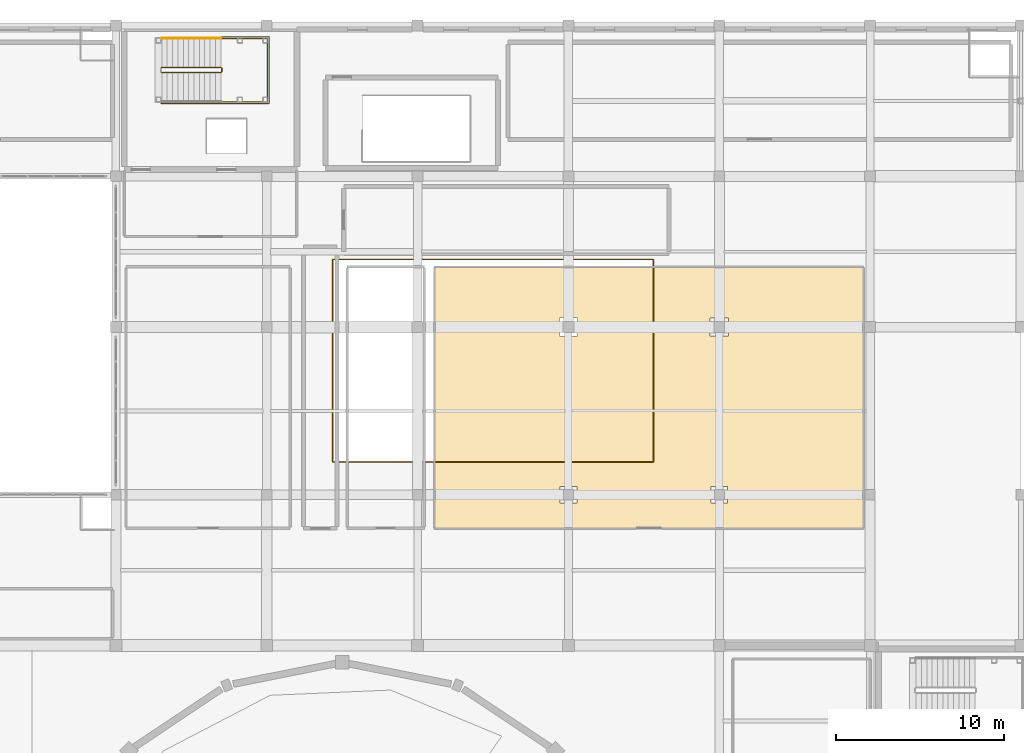
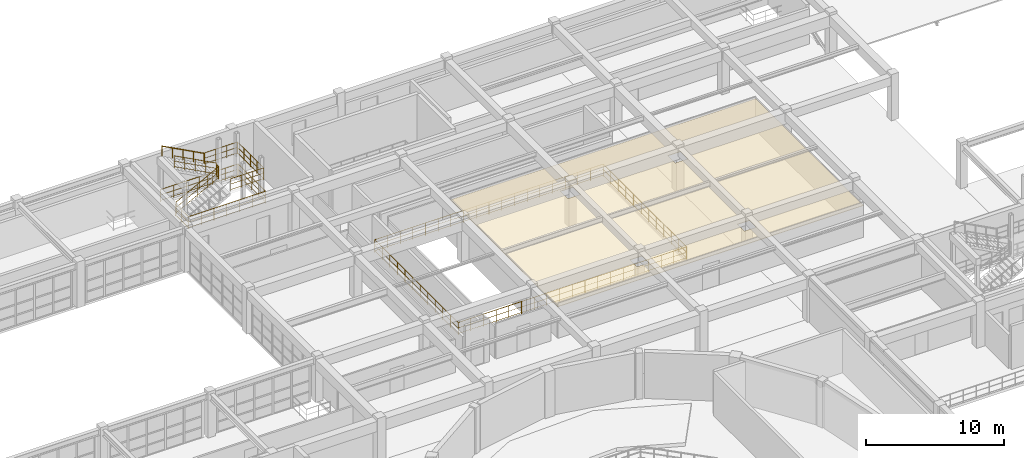
# One storey, part 108 of 110: 7 railings, 1 covering.
"""IFC4 building model written with IfcOpenShell, lengths in metres."""

from ifc_helpers import new_model, si_unit, direction, frame, origin, origin_2d, place, context, subcontext, project, spatial, polyline, circle, outline, extrude, material, layer, layer_set, type_object, element, save


model = new_model("IFC4")

# Units and contexts
model_context = context("Model", 3, precision=1e-05, world=origin(), true_north=direction((0.0, 1.0)))
body_context = subcontext(model_context, "Body", "Model", "MODEL_VIEW")
ifc_project = project(units=[si_unit("LENGTHUNIT", "METRE"), si_unit("AREAUNIT", "SQUARE_METRE"), si_unit("VOLUMEUNIT", "CUBIC_METRE"), si_unit("PLANEANGLEUNIT", "RADIAN"), si_unit("MASSUNIT", "GRAM", prefix="KILO")], contexts=[model_context])

# Site, building, storey
site_placement = place(None, origin())
site = spatial("IfcSite", under=ifc_project, at=site_placement, CompositionType="ELEMENT")
building_placement = place(site_placement, origin())
building = spatial("IfcBuilding", under=site, at=building_placement, Name="Miravela Opera House", CompositionType="ELEMENT")
storey_placement = place(building_placement, frame((0.0, 0.0, 13.60009765625)))
storey = spatial("IfcBuildingStorey", under=building, at=storey_placement, Name="L03", CompositionType="ELEMENT", Elevation=13.60009765625)

# Covering
ifc_material_1 = material(Name="Spanish Colonial coffered lime-plaster ceiling")
ifc_layer = layer(ifc_material_1, 0.0419921875)
ifc_layer_set = layer_set([ifc_layer])
covering_type = type_object("IfcCoveringType", Name="ARC-CEIL-COFFER-42", PredefinedType="CEILING", material=ifc_layer_set)
covering_placement = place(storey_placement, frame((0.0, 0.0, 2.739990234375)))
element("IfcCovering", 1, at=covering_placement, inside=storey, type_object=covering_type, Name="Music Repertoire Library and Reading Hall Acoustic Ceiling", PredefinedType="CEILING", context=body_context, shape_type="SweptSolid", body=[
    extrude(outline(polyline([(82.0, 82.0), (107.60009765625, 82.0), (107.60009765625, 97.60009765625), (82.0, 97.60009765625), (82.0, 82.0)]), holes=[polyline([(89.49560546875, 83.49560546875), (90.50439453125, 83.49560546875), (90.50439453125, 84.50439453125), (89.49560546875, 84.50439453125), (89.49560546875, 83.49560546875)]), polyline([(89.46044921875, 93.46044921875), (90.53955078125, 93.46044921875), (90.53955078125, 94.53955078125), (89.46044921875, 94.53955078125), (89.46044921875, 93.46044921875)]), polyline([(98.49560546875, 83.49560546875), (99.50439453125, 83.49560546875), (99.50439453125, 84.50439453125), (98.49560546875, 84.50439453125), (98.49560546875, 83.49560546875)]), polyline([(98.46044921875, 93.46044921875), (99.53955078125, 93.46044921875), (99.53955078125, 94.53955078125), (98.46044921875, 94.53955078125), (98.46044921875, 93.46044921875)])]), origin(), (0.0, 0.0, 1.0), 0.0419921875),
])

# Railings
ifc_material_2 = material(Name="Gilded bronze auditorium tier balustrade")
railing_type_1 = type_object("IfcRailingType", Name="ARC-RAIL-BOWL-BAL", PredefinedType="BALUSTRADE", material=ifc_material_2)
railing_1_placement = place(storey_placement, frame((75.932373046875, 85.957275390625, 0.0)))
element("IfcRailing", 2, at=railing_1_placement, inside=storey, type_object=railing_type_1, Name="L03 Void Perimeter Balustrade 0166", PredefinedType="BALUSTRADE", context=body_context, shape_type="SweptSolid", body=[
    extrude(circle(Radius=0.02490234375, at=origin_2d()), frame((0.0, 0.0, 1.09521484375), z_axis=(1.0, 0.0, 0.0), x_axis=(0.0, 1.0, 0.0)), (0.0, 0.0, 1.0), 19.13525390625),
    extrude(circle(Radius=0.01611328125, at=origin_2d()), frame((0.0, 0.0, 0.615966796875), z_axis=(1.0, 0.0, 0.0), x_axis=(0.0, 1.0, 0.0)), (0.0, 0.0, 1.0), 19.13525390625),
    extrude(circle(Radius=0.01611328125, at=origin_2d()), frame((0.0, 0.0, 0.1201171875), z_axis=(1.0, 0.0, 0.0), x_axis=(0.0, 1.0, 0.0)), (0.0, 0.0, 1.0), 19.13525390625),
    extrude(circle(Radius=0.02490234375, at=origin_2d()), frame((19.13525390625, 0.0, 1.09521484375), z_axis=(0.0, 1.0, 0.0), x_axis=(-1.0, 0.0, 0.0)), (0.0, 0.0, 1.0), 12.08544921875),
    extrude(circle(Radius=0.01611328125, at=origin_2d()), frame((19.13525390625, 0.0, 0.615966796875), z_axis=(0.0, 1.0, 0.0), x_axis=(-1.0, 0.0, 0.0)), (0.0, 0.0, 1.0), 12.08544921875),
    extrude(circle(Radius=0.01611328125, at=origin_2d()), frame((19.13525390625, 0.0, 0.1201171875), z_axis=(0.0, 1.0, 0.0), x_axis=(-1.0, 0.0, 0.0)), (0.0, 0.0, 1.0), 12.08544921875),
    extrude(circle(Radius=0.02490234375, at=origin_2d()), frame((19.13525390625, 12.08544921875, 1.09521484375), z_axis=(-1.0, 0.0, 0.0), x_axis=(0.0, -1.0, 0.0)), (0.0, 0.0, 1.0), 19.13525390625),
    extrude(circle(Radius=0.01611328125, at=origin_2d()), frame((19.13525390625, 12.08544921875, 0.615966796875), z_axis=(-1.0, 0.0, 0.0), x_axis=(0.0, -1.0, 0.0)), (0.0, 0.0, 1.0), 19.13525390625),
    extrude(circle(Radius=0.01611328125, at=origin_2d()), frame((19.13525390625, 12.08544921875, 0.1201171875), z_axis=(-1.0, 0.0, 0.0), x_axis=(0.0, -1.0, 0.0)), (0.0, 0.0, 1.0), 19.13525390625),
    extrude(circle(Radius=0.02490234375, at=origin_2d()), frame((0.0, 12.08544921875, 1.09521484375), z_axis=(0.0, -1.0, 0.0), x_axis=(1.0, 0.0, 0.0)), (0.0, 0.0, 1.0), 12.08544921875),
    extrude(circle(Radius=0.01611328125, at=origin_2d()), frame((0.0, 12.08544921875, 0.615966796875), z_axis=(0.0, -1.0, 0.0), x_axis=(1.0, 0.0, 0.0)), (0.0, 0.0, 1.0), 12.08544921875),
    extrude(circle(Radius=0.01611328125, at=origin_2d()), frame((0.0, 12.08544921875, 0.1201171875), z_axis=(0.0, -1.0, 0.0), x_axis=(1.0, 0.0, 0.0)), (0.0, 0.0, 1.0), 12.08544921875),
    extrude(circle(Radius=0.02099609375, at=origin_2d()), origin(), (0.0, 0.0, 1.0), 1.070068359375),
    extrude(circle(Radius=0.02099609375, at=origin_2d()), frame((1.06298828125, 0.0, 0.0)), (0.0, 0.0, 1.0), 1.070068359375),
    extrude(circle(Radius=0.02099609375, at=origin_2d()), frame((2.126220703125, 0.0, 0.0)), (0.0, 0.0, 1.0), 1.070068359375),
    extrude(circle(Radius=0.02099609375, at=origin_2d()), frame((3.189208984375, 0.0, 0.0)), (0.0, 0.0, 1.0), 1.070068359375),
    extrude(circle(Radius=0.02099609375, at=origin_2d()), frame((4.252197265625, 0.0, 0.0)), (0.0, 0.0, 1.0), 1.070068359375),
    extrude(circle(Radius=0.02099609375, at=origin_2d()), frame((5.3154296875, 0.0, 0.0)), (0.0, 0.0, 1.0), 1.070068359375),
    extrude(circle(Radius=0.02099609375, at=origin_2d()), frame((6.37841796875, 0.0, 0.0)), (0.0, 0.0, 1.0), 1.070068359375),
    extrude(circle(Radius=0.02099609375, at=origin_2d()), frame((7.44140625, 0.0, 0.0)), (0.0, 0.0, 1.0), 1.070068359375),
    extrude(circle(Radius=0.02099609375, at=origin_2d()), frame((8.504638671875, 0.0, 0.0)), (0.0, 0.0, 1.0), 1.070068359375),
    extrude(circle(Radius=0.02099609375, at=origin_2d()), frame((9.567626953125, 0.0, 0.0)), (0.0, 0.0, 1.0), 1.070068359375),
    extrude(circle(Radius=0.02099609375, at=origin_2d()), frame((10.630615234375, 0.0, 0.0)), (0.0, 0.0, 1.0), 1.070068359375),
    extrude(circle(Radius=0.02099609375, at=origin_2d()), frame((11.69384765625, 0.0, 0.0)), (0.0, 0.0, 1.0), 1.070068359375),
    extrude(circle(Radius=0.02099609375, at=origin_2d()), frame((12.7568359375, 0.0, 0.0)), (0.0, 0.0, 1.0), 1.070068359375),
    extrude(circle(Radius=0.02099609375, at=origin_2d()), frame((13.81982421875, 0.0, 0.0)), (0.0, 0.0, 1.0), 1.070068359375),
    extrude(circle(Radius=0.02099609375, at=origin_2d()), frame((14.883056640625, 0.0, 0.0)), (0.0, 0.0, 1.0), 1.070068359375),
    extrude(circle(Radius=0.02099609375, at=origin_2d()), frame((15.946044921875, 0.0, 0.0)), (0.0, 0.0, 1.0), 1.070068359375),
    extrude(circle(Radius=0.02099609375, at=origin_2d()), frame((17.009033203125, 0.0, 0.0)), (0.0, 0.0, 1.0), 1.070068359375),
    extrude(circle(Radius=0.02099609375, at=origin_2d()), frame((18.072265625, 0.0, 0.0)), (0.0, 0.0, 1.0), 1.070068359375),
    extrude(circle(Radius=0.02099609375, at=origin_2d()), frame((19.13525390625, 0.0, 0.0)), (0.0, 0.0, 1.0), 1.070068359375),
    extrude(circle(Radius=0.02099609375, at=origin_2d()), frame((19.13525390625, 1.0986328125, 0.0)), (0.0, 0.0, 1.0), 1.070068359375),
    extrude(circle(Radius=0.02099609375, at=origin_2d()), frame((19.13525390625, 2.197265625, 0.0)), (0.0, 0.0, 1.0), 1.070068359375),
    extrude(circle(Radius=0.02099609375, at=origin_2d()), frame((19.13525390625, 3.296142578125, 0.0)), (0.0, 0.0, 1.0), 1.070068359375),
    extrude(circle(Radius=0.02099609375, at=origin_2d()), frame((19.13525390625, 4.394775390625, 0.0)), (0.0, 0.0, 1.0), 1.070068359375),
    extrude(circle(Radius=0.02099609375, at=origin_2d()), frame((19.13525390625, 5.493408203125, 0.0)), (0.0, 0.0, 1.0), 1.070068359375),
    extrude(circle(Radius=0.02099609375, at=origin_2d()), frame((19.13525390625, 6.592041015625, 0.0)), (0.0, 0.0, 1.0), 1.070068359375),
    extrude(circle(Radius=0.02099609375, at=origin_2d()), frame((19.13525390625, 7.690673828125, 0.0)), (0.0, 0.0, 1.0), 1.070068359375),
    extrude(circle(Radius=0.02099609375, at=origin_2d()), frame((19.13525390625, 8.789306640625, 0.0)), (0.0, 0.0, 1.0), 1.070068359375),
    extrude(circle(Radius=0.02099609375, at=origin_2d()), frame((19.13525390625, 9.88818359375, 0.0)), (0.0, 0.0, 1.0), 1.070068359375),
    extrude(circle(Radius=0.02099609375, at=origin_2d()), frame((19.13525390625, 10.98681640625, 0.0)), (0.0, 0.0, 1.0), 1.070068359375),
    extrude(circle(Radius=0.02099609375, at=origin_2d()), frame((19.13525390625, 12.08544921875, 0.0)), (0.0, 0.0, 1.0), 1.070068359375),
    extrude(circle(Radius=0.02099609375, at=origin_2d()), frame((18.072265625, 12.08544921875, 0.0)), (0.0, 0.0, 1.0), 1.070068359375),
    extrude(circle(Radius=0.02099609375, at=origin_2d()), frame((17.009033203125, 12.08544921875, 0.0)), (0.0, 0.0, 1.0), 1.070068359375),
    extrude(circle(Radius=0.02099609375, at=origin_2d()), frame((15.946044921875, 12.08544921875, 0.0)), (0.0, 0.0, 1.0), 1.070068359375),
    extrude(circle(Radius=0.02099609375, at=origin_2d()), frame((14.883056640625, 12.08544921875, 0.0)), (0.0, 0.0, 1.0), 1.070068359375),
    extrude(circle(Radius=0.02099609375, at=origin_2d()), frame((13.81982421875, 12.08544921875, 0.0)), (0.0, 0.0, 1.0), 1.070068359375),
    extrude(circle(Radius=0.02099609375, at=origin_2d()), frame((12.7568359375, 12.08544921875, 0.0)), (0.0, 0.0, 1.0), 1.070068359375),
    extrude(circle(Radius=0.02099609375, at=origin_2d()), frame((11.69384765625, 12.08544921875, 0.0)), (0.0, 0.0, 1.0), 1.070068359375),
    extrude(circle(Radius=0.02099609375, at=origin_2d()), frame((10.630615234375, 12.08544921875, 0.0)), (0.0, 0.0, 1.0), 1.070068359375),
    extrude(circle(Radius=0.02099609375, at=origin_2d()), frame((9.567626953125, 12.08544921875, 0.0)), (0.0, 0.0, 1.0), 1.070068359375),
    extrude(circle(Radius=0.02099609375, at=origin_2d()), frame((8.504638671875, 12.08544921875, 0.0)), (0.0, 0.0, 1.0), 1.070068359375),
    extrude(circle(Radius=0.02099609375, at=origin_2d()), frame((7.44140625, 12.08544921875, 0.0)), (0.0, 0.0, 1.0), 1.070068359375),
    extrude(circle(Radius=0.02099609375, at=origin_2d()), frame((6.37841796875, 12.08544921875, 0.0)), (0.0, 0.0, 1.0), 1.070068359375),
    extrude(circle(Radius=0.02099609375, at=origin_2d()), frame((5.3154296875, 12.08544921875, 0.0)), (0.0, 0.0, 1.0), 1.070068359375),
    extrude(circle(Radius=0.02099609375, at=origin_2d()), frame((4.252197265625, 12.08544921875, 0.0)), (0.0, 0.0, 1.0), 1.070068359375),
    extrude(circle(Radius=0.02099609375, at=origin_2d()), frame((3.189208984375, 12.08544921875, 0.0)), (0.0, 0.0, 1.0), 1.070068359375),
    extrude(circle(Radius=0.02099609375, at=origin_2d()), frame((2.126220703125, 12.08544921875, 0.0)), (0.0, 0.0, 1.0), 1.070068359375),
    extrude(circle(Radius=0.02099609375, at=origin_2d()), frame((1.06298828125, 12.08544921875, 0.0)), (0.0, 0.0, 1.0), 1.070068359375),
    extrude(circle(Radius=0.02099609375, at=origin_2d()), frame((0.0, 12.08544921875, 0.0)), (0.0, 0.0, 1.0), 1.070068359375),
    extrude(circle(Radius=0.02099609375, at=origin_2d()), frame((0.0, 10.98681640625, 0.0)), (0.0, 0.0, 1.0), 1.070068359375),
    extrude(circle(Radius=0.02099609375, at=origin_2d()), frame((0.0, 9.88818359375, 0.0)), (0.0, 0.0, 1.0), 1.070068359375),
    extrude(circle(Radius=0.02099609375, at=origin_2d()), frame((0.0, 8.789306640625, 0.0)), (0.0, 0.0, 1.0), 1.070068359375),
    extrude(circle(Radius=0.02099609375, at=origin_2d()), frame((0.0, 7.690673828125, 0.0)), (0.0, 0.0, 1.0), 1.070068359375),
    extrude(circle(Radius=0.02099609375, at=origin_2d()), frame((0.0, 6.592041015625, 0.0)), (0.0, 0.0, 1.0), 1.070068359375),
    extrude(circle(Radius=0.02099609375, at=origin_2d()), frame((0.0, 5.493408203125, 0.0)), (0.0, 0.0, 1.0), 1.070068359375),
    extrude(circle(Radius=0.02099609375, at=origin_2d()), frame((0.0, 4.394775390625, 0.0)), (0.0, 0.0, 1.0), 1.070068359375),
    extrude(circle(Radius=0.02099609375, at=origin_2d()), frame((0.0, 3.296142578125, 0.0)), (0.0, 0.0, 1.0), 1.070068359375),
    extrude(circle(Radius=0.02099609375, at=origin_2d()), frame((0.0, 2.197265625, 0.0)), (0.0, 0.0, 1.0), 1.070068359375),
    extrude(circle(Radius=0.02099609375, at=origin_2d()), frame((0.0, 1.0986328125, 0.0)), (0.0, 0.0, 1.0), 1.070068359375),
])
ifc_material_3 = material(Name="Brushed bronze continuous stair handrail")
railing_type_2 = type_object("IfcRailingType", Name="ARC-RAIL-HAND-900", PredefinedType="HANDRAIL", material=ifc_material_3)
railing_2_placement = place(storey_placement, frame((69.260009765625, 111.22998046875, 2.2099609375)))
element("IfcRailing", 3, at=railing_2_placement, inside=storey, type_object=railing_type_2, Name="L03 ST-05 stair handrail 2", PredefinedType="HANDRAIL", context=body_context, shape_type="SweptSolid", body=[
    extrude(circle(Radius=0.02392578125, at=origin_2d()), frame((0.0, 0.0, 0.8759765625), z_axis=(-0.883129994055, 0.0, 0.469128355144), x_axis=(0.0, -1.0, 0.0)), (0.0, 0.0, 1.0), 3.98583984375),
    extrude(circle(Radius=0.02099609375, at=origin_2d()), origin(), (0.0, 0.0, 1.0), 0.851806640625),
    extrude(circle(Radius=0.02099609375, at=origin_2d()), frame((-0.8798828125, 0.0, 0.467529296875)), (0.0, 0.0, 1.0), 0.851806640625),
    extrude(circle(Radius=0.02099609375, at=origin_2d()), frame((-1.760009765625, 0.0, 0.93505859375)), (0.0, 0.0, 1.0), 0.851806640625),
    extrude(circle(Radius=0.02099609375, at=origin_2d()), frame((-2.64013671875, 0.0, 1.40234375)), (0.0, 0.0, 1.0), 0.851806640625),
    extrude(circle(Radius=0.02099609375, at=origin_2d()), frame((-3.52001953125, 0.0, 1.869873046875)), (0.0, 0.0, 1.0), 0.851806640625),
])
ifc_material_4 = material(Name="Painted wrought-iron stair guardrail")
railing_type_3 = type_object("IfcRailingType", Name="ARC-RAIL-STAIR-GUARD", PredefinedType="GUARDRAIL", material=ifc_material_4)
railing_3_placement = place(storey_placement, frame((65.739990234375, 109.18994140625, 0.169921875)))
element("IfcRailing", 4, at=railing_3_placement, inside=storey, type_object=railing_type_3, Name="L03 ST-05 stair guard 1", PredefinedType="GUARDRAIL", context=body_context, shape_type="SweptSolid", body=[
    extrude(circle(Radius=0.02392578125, at=origin_2d()), frame((0.0, 0.0, 1.076171875), z_axis=(0.883129994055, 0.0, 0.469128355144), x_axis=(0.0, 1.0, 0.0)), (0.0, 0.0, 1.0), 3.98583984375),
    extrude(circle(Radius=0.01611328125, at=origin_2d()), frame((0.0, 0.0, 0.60498046875), z_axis=(0.883129994055, 0.0, 0.469128355144), x_axis=(0.0, 1.0, 0.0)), (0.0, 0.0, 1.0), 3.98583984375),
    extrude(circle(Radius=0.01611328125, at=origin_2d()), frame((0.0, 0.0, 0.1201171875), z_axis=(0.883129994055, 0.0, 0.469128355144), x_axis=(0.0, 1.0, 0.0)), (0.0, 0.0, 1.0), 3.98583984375),
    extrude(circle(Radius=0.02099609375, at=origin_2d()), origin(), (0.0, 0.0, 1.0), 1.052001953125),
    extrude(circle(Radius=0.02099609375, at=origin_2d()), frame((0.8798828125, 0.0, 0.467529296875)), (0.0, 0.0, 1.0), 1.052001953125),
    extrude(circle(Radius=0.02099609375, at=origin_2d()), frame((1.760009765625, 0.0, 0.93505859375)), (0.0, 0.0, 1.0), 1.052001953125),
    extrude(circle(Radius=0.02099609375, at=origin_2d()), frame((2.64013671875, 0.0, 1.40234375)), (0.0, 0.0, 1.0), 1.052001953125),
    extrude(circle(Radius=0.02099609375, at=origin_2d()), frame((3.52001953125, 0.0, 1.869873046875)), (0.0, 0.0, 1.0), 1.052001953125),
])
railing_4_placement = place(storey_placement, frame((69.31005859375, 109.239990234375, 2.039794921875)))
element("IfcRailing", 5, at=railing_4_placement, inside=storey, type_object=railing_type_3, Name="L03 ST-05 stair guard 2", PredefinedType="GUARDRAIL", context=body_context, shape_type="SweptSolid", body=[
    extrude(circle(Radius=0.02392578125, at=origin_2d()), frame((0.0, 0.0, 1.076171875), z_axis=(0.0, 1.0, 0.0), x_axis=(-1.0, 0.0, 0.0)), (0.0, 0.0, 1.0), 0.199951171875),
    extrude(circle(Radius=0.01611328125, at=origin_2d()), frame((0.0, 0.0, 0.60498046875), z_axis=(0.0, 1.0, 0.0), x_axis=(-1.0, 0.0, 0.0)), (0.0, 0.0, 1.0), 0.199951171875),
    extrude(circle(Radius=0.01611328125, at=origin_2d()), frame((0.0, 0.0, 0.1201171875), z_axis=(0.0, 1.0, 0.0), x_axis=(-1.0, 0.0, 0.0)), (0.0, 0.0, 1.0), 0.199951171875),
    extrude(circle(Radius=0.02099609375, at=origin_2d()), origin(), (0.0, 0.0, 1.0), 1.052001953125),
    extrude(circle(Radius=0.02099609375, at=origin_2d()), frame((0.0, 0.199951171875, 0.0)), (0.0, 0.0, 1.0), 1.052001953125),
])
railing_5_placement = place(storey_placement, frame((69.260009765625, 109.489990234375, 2.2099609375)))
element("IfcRailing", 6, at=railing_5_placement, inside=storey, type_object=railing_type_3, Name="L03 ST-05 stair guard 3", PredefinedType="GUARDRAIL", context=body_context, shape_type="SweptSolid", body=[
    extrude(circle(Radius=0.02392578125, at=origin_2d()), frame((0.0, 0.0, 1.076171875), z_axis=(-0.883129994055, 0.0, 0.469128355144), x_axis=(0.0, -1.0, 0.0)), (0.0, 0.0, 1.0), 3.98583984375),
    extrude(circle(Radius=0.01611328125, at=origin_2d()), frame((0.0, 0.0, 0.60498046875), z_axis=(-0.883129994055, 0.0, 0.469128355144), x_axis=(0.0, -1.0, 0.0)), (0.0, 0.0, 1.0), 3.98583984375),
    extrude(circle(Radius=0.01611328125, at=origin_2d()), frame((0.0, 0.0, 0.1201171875), z_axis=(-0.883129994055, 0.0, 0.469128355144), x_axis=(0.0, -1.0, 0.0)), (0.0, 0.0, 1.0), 3.98583984375),
    extrude(circle(Radius=0.02099609375, at=origin_2d()), origin(), (0.0, 0.0, 1.0), 1.052001953125),
    extrude(circle(Radius=0.02099609375, at=origin_2d()), frame((-0.8798828125, 0.0, 0.467529296875)), (0.0, 0.0, 1.0), 1.052001953125),
    extrude(circle(Radius=0.02099609375, at=origin_2d()), frame((-1.760009765625, 0.0, 0.93505859375)), (0.0, 0.0, 1.0), 1.052001953125),
    extrude(circle(Radius=0.02099609375, at=origin_2d()), frame((-2.64013671875, 0.0, 1.40234375)), (0.0, 0.0, 1.0), 1.052001953125),
    extrude(circle(Radius=0.02099609375, at=origin_2d()), frame((-3.52001953125, 0.0, 1.869873046875)), (0.0, 0.0, 1.0), 1.052001953125),
])
railing_6_placement = place(storey_placement, frame((69.31005859375, 107.449951171875, 2.039794921875)))
element("IfcRailing", 7, at=railing_6_placement, inside=storey, type_object=railing_type_3, Name="Stair ST-05 Half-Landing Perimeter Guard (L03) 0053", PredefinedType="GUARDRAIL", context=body_context, shape_type="SweptSolid", body=[
    extrude(circle(Radius=0.02392578125, at=origin_2d()), frame((0.0, 0.0, 1.076171875), z_axis=(1.0, 0.0, 0.0), x_axis=(0.0, 1.0, 0.0)), (0.0, 0.0, 1.0), 2.739990234375),
    extrude(circle(Radius=0.01611328125, at=origin_2d()), frame((0.0, 0.0, 0.60498046875), z_axis=(1.0, 0.0, 0.0), x_axis=(0.0, 1.0, 0.0)), (0.0, 0.0, 1.0), 2.739990234375),
    extrude(circle(Radius=0.01611328125, at=origin_2d()), frame((0.0, 0.0, 0.1201171875), z_axis=(1.0, 0.0, 0.0), x_axis=(0.0, 1.0, 0.0)), (0.0, 0.0, 1.0), 2.739990234375),
    extrude(circle(Radius=0.02392578125, at=origin_2d()), frame((2.739990234375, 0.0, 1.076171875), z_axis=(0.0, 1.0, 0.0), x_axis=(-1.0, 0.0, 0.0)), (0.0, 0.0, 1.0), 3.780029296875),
    extrude(circle(Radius=0.01611328125, at=origin_2d()), frame((2.739990234375, 0.0, 0.60498046875), z_axis=(0.0, 1.0, 0.0), x_axis=(-1.0, 0.0, 0.0)), (0.0, 0.0, 1.0), 3.780029296875),
    extrude(circle(Radius=0.01611328125, at=origin_2d()), frame((2.739990234375, 0.0, 0.1201171875), z_axis=(0.0, 1.0, 0.0), x_axis=(-1.0, 0.0, 0.0)), (0.0, 0.0, 1.0), 3.780029296875),
    extrude(circle(Radius=0.02392578125, at=origin_2d()), frame((2.739990234375, 3.780029296875, 1.076171875), z_axis=(-1.0, 0.0, 0.0), x_axis=(0.0, -1.0, 0.0)), (0.0, 0.0, 1.0), 2.739990234375),
    extrude(circle(Radius=0.01611328125, at=origin_2d()), frame((2.739990234375, 3.780029296875, 0.60498046875), z_axis=(-1.0, 0.0, 0.0), x_axis=(0.0, -1.0, 0.0)), (0.0, 0.0, 1.0), 2.739990234375),
    extrude(circle(Radius=0.01611328125, at=origin_2d()), frame((2.739990234375, 3.780029296875, 0.1201171875), z_axis=(-1.0, 0.0, 0.0), x_axis=(0.0, -1.0, 0.0)), (0.0, 0.0, 1.0), 2.739990234375),
    extrude(circle(Radius=0.02099609375, at=origin_2d()), origin(), (0.0, 0.0, 1.0), 1.052001953125),
    extrude(circle(Radius=0.02099609375, at=origin_2d()), frame((0.913330078125, 0.0, 0.0)), (0.0, 0.0, 1.0), 1.052001953125),
    extrude(circle(Radius=0.02099609375, at=origin_2d()), frame((1.82666015625, 0.0, 0.0)), (0.0, 0.0, 1.0), 1.052001953125),
    extrude(circle(Radius=0.02099609375, at=origin_2d()), frame((2.739990234375, 0.0, 0.0)), (0.0, 0.0, 1.0), 1.052001953125),
    extrude(circle(Radius=0.02099609375, at=origin_2d()), frame((2.739990234375, 0.945068359375, 0.0)), (0.0, 0.0, 1.0), 1.052001953125),
    extrude(circle(Radius=0.02099609375, at=origin_2d()), frame((2.739990234375, 1.89013671875, 0.0)), (0.0, 0.0, 1.0), 1.052001953125),
    extrude(circle(Radius=0.02099609375, at=origin_2d()), frame((2.739990234375, 2.8349609375, 0.0)), (0.0, 0.0, 1.0), 1.052001953125),
    extrude(circle(Radius=0.02099609375, at=origin_2d()), frame((2.739990234375, 3.780029296875, 0.0)), (0.0, 0.0, 1.0), 1.052001953125),
    extrude(circle(Radius=0.02099609375, at=origin_2d()), frame((1.82666015625, 3.780029296875, 0.0)), (0.0, 0.0, 1.0), 1.052001953125),
    extrude(circle(Radius=0.02099609375, at=origin_2d()), frame((0.913330078125, 3.780029296875, 0.0)), (0.0, 0.0, 1.0), 1.052001953125),
    extrude(circle(Radius=0.02099609375, at=origin_2d()), frame((0.0, 3.780029296875, 0.0)), (0.0, 0.0, 1.0), 1.052001953125),
])
railing_7_placement = place(storey_placement, frame((65.68994140625, 109.27001953125, 0.0)))
element("IfcRailing", 8, at=railing_7_placement, inside=storey, type_object=railing_type_3, Name="Stair ST-05 Well Slab Opening Guard (L03) 0057", PredefinedType="GUARDRAIL", context=body_context, shape_type="SweptSolid", body=[
    extrude(circle(Radius=0.02392578125, at=origin_2d()), frame((0.0, 0.0, 1.076171875), z_axis=(0.0, -1.0, 0.0), x_axis=(1.0, 0.0, 0.0)), (0.0, 0.0, 1.0), 1.919921875),
    extrude(circle(Radius=0.01611328125, at=origin_2d()), frame((0.0, 0.0, 0.60498046875), z_axis=(0.0, -1.0, 0.0), x_axis=(1.0, 0.0, 0.0)), (0.0, 0.0, 1.0), 1.919921875),
    extrude(circle(Radius=0.01611328125, at=origin_2d()), frame((0.0, 0.0, 0.1201171875), z_axis=(0.0, -1.0, 0.0), x_axis=(1.0, 0.0, 0.0)), (0.0, 0.0, 1.0), 1.919921875),
    extrude(circle(Radius=0.02392578125, at=origin_2d()), frame((0.0, -1.919921875, 1.076171875), z_axis=(1.0, 0.0, 0.0), x_axis=(0.0, 1.0, 0.0)), (0.0, 0.0, 1.0), 6.4599609375),
    extrude(circle(Radius=0.01611328125, at=origin_2d()), frame((0.0, -1.919921875, 0.60498046875), z_axis=(1.0, 0.0, 0.0), x_axis=(0.0, 1.0, 0.0)), (0.0, 0.0, 1.0), 6.4599609375),
    extrude(circle(Radius=0.01611328125, at=origin_2d()), frame((0.0, -1.919921875, 0.1201171875), z_axis=(1.0, 0.0, 0.0), x_axis=(0.0, 1.0, 0.0)), (0.0, 0.0, 1.0), 6.4599609375),
    extrude(circle(Radius=0.02392578125, at=origin_2d()), frame((6.4599609375, -1.919921875, 1.076171875), z_axis=(0.0, 1.0, 0.0), x_axis=(-1.0, 0.0, 0.0)), (0.0, 0.0, 1.0), 3.97998046875),
    extrude(circle(Radius=0.01611328125, at=origin_2d()), frame((6.4599609375, -1.919921875, 0.60498046875), z_axis=(0.0, 1.0, 0.0), x_axis=(-1.0, 0.0, 0.0)), (0.0, 0.0, 1.0), 3.97998046875),
    extrude(circle(Radius=0.01611328125, at=origin_2d()), frame((6.4599609375, -1.919921875, 0.1201171875), z_axis=(0.0, 1.0, 0.0), x_axis=(-1.0, 0.0, 0.0)), (0.0, 0.0, 1.0), 3.97998046875),
    extrude(circle(Radius=0.02392578125, at=origin_2d()), frame((6.4599609375, 2.06005859375, 1.076171875), z_axis=(-1.0, 0.0, 0.0), x_axis=(0.0, -1.0, 0.0)), (0.0, 0.0, 1.0), 6.4599609375),
    extrude(circle(Radius=0.01611328125, at=origin_2d()), frame((6.4599609375, 2.06005859375, 0.60498046875), z_axis=(-1.0, 0.0, 0.0), x_axis=(0.0, -1.0, 0.0)), (0.0, 0.0, 1.0), 6.4599609375),
    extrude(circle(Radius=0.01611328125, at=origin_2d()), frame((6.4599609375, 2.06005859375, 0.1201171875), z_axis=(-1.0, 0.0, 0.0), x_axis=(0.0, -1.0, 0.0)), (0.0, 0.0, 1.0), 6.4599609375),
    extrude(circle(Radius=0.02099609375, at=origin_2d()), origin(), (0.0, 0.0, 1.0), 1.052001953125),
    extrude(circle(Radius=0.02099609375, at=origin_2d()), frame((0.0, -0.9599609375, 0.0)), (0.0, 0.0, 1.0), 1.052001953125),
    extrude(circle(Radius=0.02099609375, at=origin_2d()), frame((0.0, -1.919921875, 0.0)), (0.0, 0.0, 1.0), 1.052001953125),
    extrude(circle(Radius=0.02099609375, at=origin_2d()), frame((1.07666015625, -1.919921875, 0.0)), (0.0, 0.0, 1.0), 1.052001953125),
    extrude(circle(Radius=0.02099609375, at=origin_2d()), frame((2.1533203125, -1.919921875, 0.0)), (0.0, 0.0, 1.0), 1.052001953125),
    extrude(circle(Radius=0.02099609375, at=origin_2d()), frame((3.22998046875, -1.919921875, 0.0)), (0.0, 0.0, 1.0), 1.052001953125),
    extrude(circle(Radius=0.02099609375, at=origin_2d()), frame((4.306640625, -1.919921875, 0.0)), (0.0, 0.0, 1.0), 1.052001953125),
    extrude(circle(Radius=0.02099609375, at=origin_2d()), frame((5.38330078125, -1.919921875, 0.0)), (0.0, 0.0, 1.0), 1.052001953125),
    extrude(circle(Radius=0.02099609375, at=origin_2d()), frame((6.4599609375, -1.919921875, 0.0)), (0.0, 0.0, 1.0), 1.052001953125),
    extrude(circle(Radius=0.02099609375, at=origin_2d()), frame((6.4599609375, -0.9248046875, 0.0)), (0.0, 0.0, 1.0), 1.052001953125),
    extrude(circle(Radius=0.02099609375, at=origin_2d()), frame((6.4599609375, 0.070068359375, 0.0)), (0.0, 0.0, 1.0), 1.052001953125),
    extrude(circle(Radius=0.02099609375, at=origin_2d()), frame((6.4599609375, 1.06494140625, 0.0)), (0.0, 0.0, 1.0), 1.052001953125),
    extrude(circle(Radius=0.02099609375, at=origin_2d()), frame((6.4599609375, 2.06005859375, 0.0)), (0.0, 0.0, 1.0), 1.052001953125),
    extrude(circle(Radius=0.02099609375, at=origin_2d()), frame((5.38330078125, 2.06005859375, 0.0)), (0.0, 0.0, 1.0), 1.052001953125),
    extrude(circle(Radius=0.02099609375, at=origin_2d()), frame((4.306640625, 2.06005859375, 0.0)), (0.0, 0.0, 1.0), 1.052001953125),
    extrude(circle(Radius=0.02099609375, at=origin_2d()), frame((3.22998046875, 2.06005859375, 0.0)), (0.0, 0.0, 1.0), 1.052001953125),
    extrude(circle(Radius=0.02099609375, at=origin_2d()), frame((2.1533203125, 2.06005859375, 0.0)), (0.0, 0.0, 1.0), 1.052001953125),
    extrude(circle(Radius=0.02099609375, at=origin_2d()), frame((1.07666015625, 2.06005859375, 0.0)), (0.0, 0.0, 1.0), 1.052001953125),
    extrude(circle(Radius=0.02099609375, at=origin_2d()), frame((0.0, 2.06005859375, 0.0)), (0.0, 0.0, 1.0), 1.052001953125),
])

save(model, "model.ifc")
